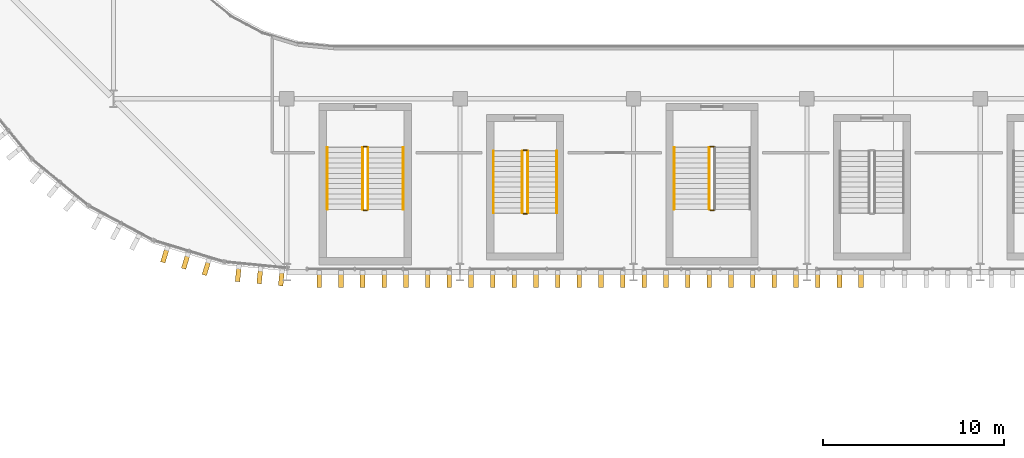
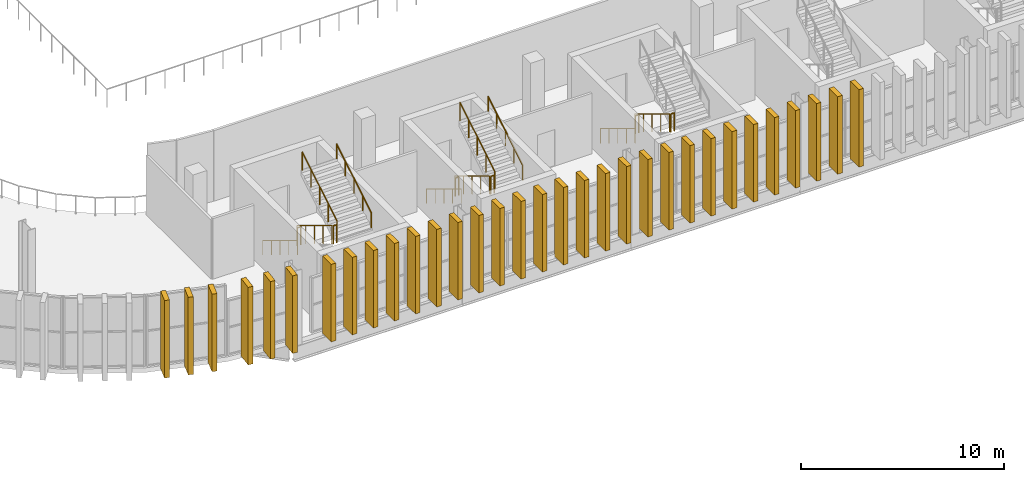
# One storey, part 63 of 75: 32 coverings, 16 railings.
"""IFC4 building model written with IfcOpenShell, lengths in metres."""

from ifc_helpers import new_model, si_unit, direction, frame, origin, origin_2d, place, context, subcontext, project, spatial, rectangle, circle, extrude, material, material_profile, profile_set, type_object, element, save


model = new_model("IFC4")

# Units and contexts
model_context = context("Model", 3, precision=1e-05, world=origin(), true_north=direction((0.0, 1.0)))
body_context = subcontext(model_context, "Body", "Model", "MODEL_VIEW")
ifc_project = project(units=[si_unit("LENGTHUNIT", "METRE"), si_unit("AREAUNIT", "SQUARE_METRE"), si_unit("VOLUMEUNIT", "CUBIC_METRE"), si_unit("PLANEANGLEUNIT", "RADIAN"), si_unit("MASSUNIT", "GRAM", prefix="KILO")], contexts=[model_context])

# Site, building, storey
site_placement = place(None, origin())
site = spatial("IfcSite", under=ifc_project, at=site_placement, CompositionType="ELEMENT")
building_placement = place(site_placement, origin())
building = spatial("IfcBuilding", under=site, at=building_placement, Name="Caelomonte Colonnade Arena", CompositionType="ELEMENT")
storey_placement = place(building_placement, frame((0.0, 0.0, 14.10009765625)))
storey = spatial("IfcBuildingStorey", under=building, at=storey_placement, Name="L03", CompositionType="ELEMENT", Elevation=14.10009765625)

# Coverings
ifc_material_1 = material(Name="Precast travertine cladding", Category="masonry")
ifc_material_profile = material_profile(ifc_material_1, rectangle(XDim=0.260009765625, YDim=0.85009765625, at=origin_2d()), Name="FIN260X850")
ifc_profile_set = profile_set([ifc_material_profile], Name="Precast travertine cladding")
covering_type = type_object("IfcCoveringType", Name="ENV-FN-SHAFT", PredefinedType="CLADDING", material=ifc_profile_set)
for number, where, z_axis, x_axis, name in (
    (1, (70.062744140625, 20.146484375, -0.16015625), (0.0, 0.0, 1.0), (-0.956942868907, 0.290276326364, 0.0), "V1 L03 classical travertine vertical fin 233"),
    (2, (71.211181640625, 19.798095703125, -0.16015625), (0.0, 0.0, 1.0), (-0.956942868907, 0.290276326364, 0.0), "V1 L03 classical travertine vertical fin 234"),
    (3, (72.359619140625, 19.44970703125, -0.16015625), (0.0, 0.0, 1.0), (-0.956942868907, 0.290276326364, 0.0), "V1 L03 classical travertine vertical fin 235"),
    (4, (74.1162109375, 19.100341796875, -0.16015625), (0.0, 0.0, 1.0), (-0.995184897743, 0.098015403404, 0.0), "V1 L03 classical travertine vertical fin 236"),
    (5, (75.310302734375, 18.98291015625, -0.16015625), (0.0, 0.0, 1.0), (-0.995184897743, 0.098015403404, 0.0), "V1 L03 classical travertine vertical fin 237"),
    (6, (76.50439453125, 18.865234375, -0.16015625), (0.0, 0.0, 1.0), (-0.995184897743, 0.098015403404, 0.0), "V1 L03 classical travertine vertical fin 238"),
    (7, (78.60009765625, 18.779052734375, -0.16015625), (0.0, 0.0, 1.0), (-1.0, 0.0, 0.0), "V1 L03 classical travertine vertical fin 239"),
    (8, (79.800048828125, 18.779052734375, -0.16015625), (0.0, 0.0, 1.0), (-1.0, 0.0, 0.0), "V1 L03 classical travertine vertical fin 240"),
    (9, (81.0, 18.779052734375, -0.16015625), (0.0, 0.0, 1.0), (-1.0, 0.0, 0.0), "V1 L03 classical travertine vertical fin 241"),
    (10, (82.199951171875, 18.779052734375, -0.16015625), (0.0, 0.0, 1.0), (-1.0, 0.0, 0.0), "V1 L03 classical travertine vertical fin 242"),
    (11, (83.39990234375, 18.779052734375, -0.16015625), (0.0, 0.0, 1.0), (-1.0, 0.0, 0.0), "V1 L03 classical travertine vertical fin 243"),
    (12, (84.60009765625, 18.779052734375, -0.16015625), (0.0, 0.0, 1.0), (-1.0, 0.0, 0.0), "V1 L03 classical travertine vertical fin 244"),
    (13, (85.800048828125, 18.779052734375, -0.16015625), (0.0, 0.0, 1.0), (-1.0, 0.0, 0.0), "V1 L03 classical travertine vertical fin 245"),
    (14, (87.0, 18.779052734375, -0.16015625), (0.0, 0.0, 1.0), (-1.0, 0.0, 0.0), "V1 L03 classical travertine vertical fin 246"),
    (15, (88.199951171875, 18.779052734375, -0.16015625), (0.0, 0.0, 1.0), (-1.0, 0.0, 0.0), "V1 L03 classical travertine vertical fin 247"),
    (16, (89.39990234375, 18.779052734375, -0.16015625), (0.0, 0.0, 1.0), (-1.0, 0.0, 0.0), "V1 L03 classical travertine vertical fin 248"),
    (17, (90.60009765625, 18.779052734375, -0.16015625), (0.0, 0.0, 1.0), (-1.0, 0.0, 0.0), "V1 L03 classical travertine vertical fin 249"),
    (18, (91.800048828125, 18.779052734375, -0.16015625), (0.0, 0.0, 1.0), (-1.0, 0.0, 0.0), "V1 L03 classical travertine vertical fin 250"),
    (19, (93.0, 18.779052734375, -0.16015625), (0.0, 0.0, 1.0), (-1.0, 0.0, 0.0), "V1 L03 classical travertine vertical fin 251"),
    (20, (94.199951171875, 18.779052734375, -0.16015625), (0.0, 0.0, 1.0), (-1.0, 0.0, 0.0), "V1 L03 classical travertine vertical fin 252"),
    (21, (95.39990234375, 18.779052734375, -0.16015625), (0.0, 0.0, 1.0), (-1.0, 0.0, 0.0), "V1 L03 classical travertine vertical fin 253"),
    (22, (96.60009765625, 18.779052734375, -0.16015625), (0.0, 0.0, 1.0), (-1.0, 0.0, 0.0), "V1 L03 classical travertine vertical fin 254"),
    (23, (97.800048828125, 18.779052734375, -0.16015625), (0.0, 0.0, 1.0), (-1.0, 0.0, 0.0), "V1 L03 classical travertine vertical fin 255"),
    (24, (99.0, 18.779052734375, -0.16015625), (0.0, 0.0, 1.0), (-1.0, 0.0, 0.0), "V1 L03 classical travertine vertical fin 256"),
    (25, (100.199951171875, 18.779052734375, -0.16015625), (0.0, 0.0, 1.0), (-1.0, 0.0, 0.0), "V1 L03 classical travertine vertical fin 257"),
    (26, (101.39990234375, 18.779052734375, -0.16015625), (0.0, 0.0, 1.0), (-1.0, 0.0, 0.0), "V1 L03 classical travertine vertical fin 258"),
    (27, (102.60009765625, 18.779052734375, -0.16015625), (0.0, 0.0, 1.0), (-1.0, 0.0, 0.0), "V1 L03 classical travertine vertical fin 259"),
    (28, (103.800048828125, 18.779052734375, -0.16015625), (0.0, 0.0, 1.0), (-1.0, 0.0, 0.0), "V1 L03 classical travertine vertical fin 260"),
    (29, (105.0, 18.779052734375, -0.16015625), (0.0, 0.0, 1.0), (-1.0, 0.0, 0.0), "V1 L03 classical travertine vertical fin 261"),
    (30, (106.199951171875, 18.779052734375, -0.16015625), (0.0, 0.0, 1.0), (-1.0, 0.0, 0.0), "V1 L03 classical travertine vertical fin 262"),
    (31, (107.39990234375, 18.779052734375, -0.16015625), (0.0, 0.0, 1.0), (-1.0, 0.0, 0.0), "V1 L03 classical travertine vertical fin 263"),
    (32, (108.60009765625, 18.779052734375, -0.16015625), (0.0, 0.0, 1.0), (-1.0, 0.0, 0.0), "V1 L03 classical travertine vertical fin 264"),
):
    element("IfcCovering", number, at=place(storey_placement, frame(where, z_axis=z_axis, x_axis=x_axis)), inside=storey, type_object=covering_type, Name=name, PredefinedType="CLADDING", context=body_context, shape_type="SweptSolid", body=[
        extrude(rectangle(XDim=0.260009765625, YDim=0.85009765625, at=origin_2d()), origin(), (0.0, 0.0, 1.0), 4.66015625),
    ])

# Railings
ifc_material_2 = material(Name="Painted galvanized steel stair guard", Category="steel")
railing_type_1 = type_object("IfcRailingType", Name="INT-RL-GRD", PredefinedType="GUARDRAIL", material=ifc_material_2)
railing_1_placement = place(storey_placement, frame((81.0, 26.10009765625, 0.173095703125)))
element("IfcRailing", 33, at=railing_1_placement, inside=storey, type_object=railing_type_1, Name="L03 ST-11 stair guard 1", PredefinedType="GUARDRAIL", context=body_context, shape_type="SweptSolid", body=[
    extrude(circle(Radius=0.02392578125, at=origin_2d()), frame((0.0, 0.0, 1.076171875), z_axis=(0.0, -0.854745945586, 0.519046595696), x_axis=(1.0, 0.0, 0.0)), (0.0, 0.0, 1.0), 4.00146484375),
    extrude(circle(Radius=0.02099609375, at=origin_2d()), origin(), (0.0, 0.0, 1.0), 1.048095703125),
    extrude(circle(Radius=0.02099609375, at=origin_2d()), frame((0.0, -0.85498046875, 0.519287109375)), (0.0, 0.0, 1.0), 1.048095703125),
    extrude(circle(Radius=0.02099609375, at=origin_2d()), frame((0.0, -1.7099609375, 1.03857421875)), (0.0, 0.0, 1.0), 1.048095703125),
    extrude(circle(Radius=0.02099609375, at=origin_2d()), frame((0.0, -2.565185546875, 1.5576171875)), (0.0, 0.0, 1.0), 1.048095703125),
    extrude(circle(Radius=0.02099609375, at=origin_2d()), frame((0.0, -3.420166015625, 2.076904296875)), (0.0, 0.0, 1.0), 1.048095703125),
])
railing_2_placement = place(storey_placement, frame((81.050048828125, 22.6298828125, 2.25)))
element("IfcRailing", 34, at=railing_2_placement, inside=storey, type_object=railing_type_1, Name="L03 ST-11 stair guard 2", PredefinedType="GUARDRAIL", context=body_context, shape_type="SweptSolid", body=[
    extrude(circle(Radius=0.02392578125, at=origin_2d()), frame((0.0, 0.0, 1.076171875), z_axis=(1.0, 0.0, 0.0), x_axis=(0.0, 1.0, 0.0)), (0.0, 0.0, 1.0), 0.199951171875),
    extrude(circle(Radius=0.02099609375, at=origin_2d()), origin(), (0.0, 0.0, 1.0), 1.048095703125),
    extrude(circle(Radius=0.02099609375, at=origin_2d()), frame((0.199951171875, 0.0, 0.0)), (0.0, 0.0, 1.0), 1.048095703125),
])
railing_3_placement = place(storey_placement, frame((81.300048828125, 22.679931640625, 2.423095703125)))
element("IfcRailing", 35, at=railing_3_placement, inside=storey, type_object=railing_type_1, Name="L03 ST-11 stair guard 3", PredefinedType="GUARDRAIL", context=body_context, shape_type="SweptSolid", body=[
    extrude(circle(Radius=0.02392578125, at=origin_2d()), frame((0.0, 0.0, 1.076171875), z_axis=(0.0, 0.854745945586, 0.519046595696), x_axis=(-1.0, 0.0, 0.0)), (0.0, 0.0, 1.0), 4.00146484375),
    extrude(circle(Radius=0.02099609375, at=origin_2d()), origin(), (0.0, 0.0, 1.0), 1.048095703125),
    extrude(circle(Radius=0.02099609375, at=origin_2d()), frame((0.0, 0.85498046875, 0.519287109375)), (0.0, 0.0, 1.0), 1.048095703125),
    extrude(circle(Radius=0.02099609375, at=origin_2d()), frame((0.0, 1.7099609375, 1.03857421875)), (0.0, 0.0, 1.0), 1.048095703125),
    extrude(circle(Radius=0.02099609375, at=origin_2d()), frame((0.0, 2.565185546875, 1.5576171875)), (0.0, 0.0, 1.0), 1.048095703125),
    extrude(circle(Radius=0.02099609375, at=origin_2d()), frame((0.0, 3.420166015625, 2.076904296875)), (0.0, 0.0, 1.0), 1.048095703125),
])
railing_4_placement = place(storey_placement, frame((81.050048828125, 26.14990234375, 0.0)))
element("IfcRailing", 36, at=railing_4_placement, inside=storey, type_object=railing_type_1, Name="L03 ST-11 stair guard 4", PredefinedType="GUARDRAIL", context=body_context, shape_type="SweptSolid", body=[
    extrude(circle(Radius=0.02392578125, at=origin_2d()), frame((0.0, 0.0, 1.076171875), z_axis=(1.0, 0.0, 0.0), x_axis=(0.0, 1.0, 0.0)), (0.0, 0.0, 1.0), 0.199951171875),
    extrude(circle(Radius=0.02099609375, at=origin_2d()), origin(), (0.0, 0.0, 1.0), 1.048095703125),
    extrude(circle(Radius=0.02099609375, at=origin_2d()), frame((0.199951171875, 0.0, 0.0)), (0.0, 0.0, 1.0), 1.048095703125),
])
railing_5_placement = place(storey_placement, frame((100.199951171875, 26.10009765625, 0.173095703125)))
element("IfcRailing", 37, at=railing_5_placement, inside=storey, type_object=railing_type_1, Name="L03 ST-12 stair guard 1", PredefinedType="GUARDRAIL", context=body_context, shape_type="SweptSolid", body=[
    extrude(circle(Radius=0.02392578125, at=origin_2d()), frame((0.0, 0.0, 1.076171875), z_axis=(0.0, -0.854745945586, 0.519046595696), x_axis=(1.0, 0.0, 0.0)), (0.0, 0.0, 1.0), 4.00146484375),
    extrude(circle(Radius=0.02099609375, at=origin_2d()), origin(), (0.0, 0.0, 1.0), 1.048095703125),
    extrude(circle(Radius=0.02099609375, at=origin_2d()), frame((0.0, -0.85498046875, 0.519287109375)), (0.0, 0.0, 1.0), 1.048095703125),
    extrude(circle(Radius=0.02099609375, at=origin_2d()), frame((0.0, -1.7099609375, 1.03857421875)), (0.0, 0.0, 1.0), 1.048095703125),
    extrude(circle(Radius=0.02099609375, at=origin_2d()), frame((0.0, -2.565185546875, 1.5576171875)), (0.0, 0.0, 1.0), 1.048095703125),
    extrude(circle(Radius=0.02099609375, at=origin_2d()), frame((0.0, -3.420166015625, 2.076904296875)), (0.0, 0.0, 1.0), 1.048095703125),
])
for number, where, name in (
    (38, (100.25, 22.6298828125, 2.25), "L03 ST-12 stair guard 2"),
    (39, (100.25, 26.14990234375, 0.0), "L03 ST-12 stair guard 4"),
):
    element("IfcRailing", number, at=place(storey_placement, frame(where)), inside=storey, type_object=railing_type_1, Name=name, PredefinedType="GUARDRAIL", context=body_context, shape_type="SweptSolid", body=[
        extrude(circle(Radius=0.02392578125, at=origin_2d()), frame((0.0, 0.0, 1.076171875), z_axis=(1.0, 0.0, 0.0), x_axis=(0.0, 1.0, 0.0)), (0.0, 0.0, 1.0), 0.199951171875),
        extrude(circle(Radius=0.02099609375, at=origin_2d()), origin(), (0.0, 0.0, 1.0), 1.048095703125),
        extrude(circle(Radius=0.02099609375, at=origin_2d()), frame((0.199951171875, 0.0, 0.0)), (0.0, 0.0, 1.0), 1.048095703125),
    ])
railing_6_placement = place(storey_placement, frame((89.85009765625, 25.89990234375, 0.173095703125)))
element("IfcRailing", 40, at=railing_6_placement, inside=storey, type_object=railing_type_1, Name="L03 ST-V09 stair guard 1", PredefinedType="GUARDRAIL", context=body_context, shape_type="SweptSolid", body=[
    extrude(circle(Radius=0.02392578125, at=origin_2d()), frame((0.0, 0.0, 1.076171875), z_axis=(0.0, -0.854729506542, 0.519073665916), x_axis=(1.0, 0.0, 0.0)), (0.0, 0.0, 1.0), 4.001220703125),
    extrude(circle(Radius=0.02099609375, at=origin_2d()), origin(), (0.0, 0.0, 1.0), 1.048095703125),
    extrude(circle(Radius=0.02099609375, at=origin_2d()), frame((0.0, -0.85498046875, 0.519287109375)), (0.0, 0.0, 1.0), 1.048095703125),
    extrude(circle(Radius=0.02099609375, at=origin_2d()), frame((0.0, -1.7099609375, 1.03857421875)), (0.0, 0.0, 1.0), 1.048095703125),
    extrude(circle(Radius=0.02099609375, at=origin_2d()), frame((0.0, -2.56494140625, 1.5576171875)), (0.0, 0.0, 1.0), 1.048095703125),
    extrude(circle(Radius=0.02099609375, at=origin_2d()), frame((0.0, -3.419921875, 2.076904296875)), (0.0, 0.0, 1.0), 1.048095703125),
])
railing_7_placement = place(storey_placement, frame((89.89990234375, 22.429931640625, 2.25)))
element("IfcRailing", 41, at=railing_7_placement, inside=storey, type_object=railing_type_1, Name="L03 ST-V09 stair guard 2", PredefinedType="GUARDRAIL", context=body_context, shape_type="SweptSolid", body=[
    extrude(circle(Radius=0.02392578125, at=origin_2d()), frame((0.0, 0.0, 1.076171875), z_axis=(1.0, 0.0, 0.0), x_axis=(0.0, 1.0, 0.0)), (0.0, 0.0, 1.0), 0.2001953125),
    extrude(circle(Radius=0.02099609375, at=origin_2d()), origin(), (0.0, 0.0, 1.0), 1.048095703125),
    extrude(circle(Radius=0.02099609375, at=origin_2d()), frame((0.2001953125, 0.0, 0.0)), (0.0, 0.0, 1.0), 1.048095703125),
])
railing_8_placement = place(storey_placement, frame((90.14990234375, 22.47998046875, 2.423095703125)))
element("IfcRailing", 42, at=railing_8_placement, inside=storey, type_object=railing_type_1, Name="L03 ST-V09 stair guard 3", PredefinedType="GUARDRAIL", context=body_context, shape_type="SweptSolid", body=[
    extrude(circle(Radius=0.02392578125, at=origin_2d()), frame((0.0, 0.0, 1.076171875), z_axis=(0.0, 0.854729506542, 0.519073665916), x_axis=(-1.0, 0.0, 0.0)), (0.0, 0.0, 1.0), 4.001220703125),
    extrude(circle(Radius=0.02099609375, at=origin_2d()), origin(), (0.0, 0.0, 1.0), 1.048095703125),
    extrude(circle(Radius=0.02099609375, at=origin_2d()), frame((0.0, 0.85498046875, 0.519287109375)), (0.0, 0.0, 1.0), 1.048095703125),
    extrude(circle(Radius=0.02099609375, at=origin_2d()), frame((0.0, 1.7099609375, 1.03857421875)), (0.0, 0.0, 1.0), 1.048095703125),
    extrude(circle(Radius=0.02099609375, at=origin_2d()), frame((0.0, 2.56494140625, 1.5576171875)), (0.0, 0.0, 1.0), 1.048095703125),
    extrude(circle(Radius=0.02099609375, at=origin_2d()), frame((0.0, 3.419921875, 2.076904296875)), (0.0, 0.0, 1.0), 1.048095703125),
])
railing_9_placement = place(storey_placement, frame((89.89990234375, 25.949951171875, 0.0)))
element("IfcRailing", 43, at=railing_9_placement, inside=storey, type_object=railing_type_1, Name="L03 ST-V09 stair guard 4", PredefinedType="GUARDRAIL", context=body_context, shape_type="SweptSolid", body=[
    extrude(circle(Radius=0.02392578125, at=origin_2d()), frame((0.0, 0.0, 1.076171875), z_axis=(1.0, 0.0, 0.0), x_axis=(0.0, 1.0, 0.0)), (0.0, 0.0, 1.0), 0.2001953125),
    extrude(circle(Radius=0.02099609375, at=origin_2d()), origin(), (0.0, 0.0, 1.0), 1.048095703125),
    extrude(circle(Radius=0.02099609375, at=origin_2d()), frame((0.2001953125, 0.0, 0.0)), (0.0, 0.0, 1.0), 1.048095703125),
])
ifc_material_3 = material(Name="Brushed stainless steel stair handrail", Category="steel")
railing_type_2 = type_object("IfcRailingType", Name="INT-RL-HR", PredefinedType="HANDRAIL", material=ifc_material_3)
railing_10_placement = place(storey_placement, frame((79.050048828125, 26.10009765625, 0.173095703125)))
element("IfcRailing", 44, at=railing_10_placement, inside=storey, type_object=railing_type_2, Name="L03 ST-11 stair handrail 1", PredefinedType="HANDRAIL", context=body_context, shape_type="SweptSolid", body=[
    extrude(circle(Radius=0.02392578125, at=origin_2d()), frame((0.0, 0.0, 0.8759765625), z_axis=(0.0, -0.854745945586, 0.519046595696), x_axis=(1.0, 0.0, 0.0)), (0.0, 0.0, 1.0), 4.00146484375),
    extrude(circle(Radius=0.02099609375, at=origin_2d()), origin(), (0.0, 0.0, 1.0), 0.847900390625),
    extrude(circle(Radius=0.02099609375, at=origin_2d()), frame((0.0, -0.85498046875, 0.519287109375)), (0.0, 0.0, 1.0), 0.847900390625),
    extrude(circle(Radius=0.02099609375, at=origin_2d()), frame((0.0, -1.7099609375, 1.03857421875)), (0.0, 0.0, 1.0), 0.847900390625),
    extrude(circle(Radius=0.02099609375, at=origin_2d()), frame((0.0, -2.565185546875, 1.5576171875)), (0.0, 0.0, 1.0), 0.847900390625),
    extrude(circle(Radius=0.02099609375, at=origin_2d()), frame((0.0, -3.420166015625, 2.076904296875)), (0.0, 0.0, 1.0), 0.847900390625),
])
railing_11_placement = place(storey_placement, frame((83.25, 22.679931640625, 2.423095703125)))
element("IfcRailing", 45, at=railing_11_placement, inside=storey, type_object=railing_type_2, Name="L03 ST-11 stair handrail 2", PredefinedType="HANDRAIL", context=body_context, shape_type="SweptSolid", body=[
    extrude(circle(Radius=0.02392578125, at=origin_2d()), frame((0.0, 0.0, 0.8759765625), z_axis=(0.0, 0.854745945586, 0.519046595696), x_axis=(-1.0, 0.0, 0.0)), (0.0, 0.0, 1.0), 4.00146484375),
    extrude(circle(Radius=0.02099609375, at=origin_2d()), origin(), (0.0, 0.0, 1.0), 0.847900390625),
    extrude(circle(Radius=0.02099609375, at=origin_2d()), frame((0.0, 0.85498046875, 0.519287109375)), (0.0, 0.0, 1.0), 0.847900390625),
    extrude(circle(Radius=0.02099609375, at=origin_2d()), frame((0.0, 1.7099609375, 1.03857421875)), (0.0, 0.0, 1.0), 0.847900390625),
    extrude(circle(Radius=0.02099609375, at=origin_2d()), frame((0.0, 2.565185546875, 1.5576171875)), (0.0, 0.0, 1.0), 0.847900390625),
    extrude(circle(Radius=0.02099609375, at=origin_2d()), frame((0.0, 3.420166015625, 2.076904296875)), (0.0, 0.0, 1.0), 0.847900390625),
])
railing_12_placement = place(storey_placement, frame((98.25, 26.10009765625, 0.173095703125)))
element("IfcRailing", 46, at=railing_12_placement, inside=storey, type_object=railing_type_2, Name="L03 ST-12 stair handrail 1", PredefinedType="HANDRAIL", context=body_context, shape_type="SweptSolid", body=[
    extrude(circle(Radius=0.02392578125, at=origin_2d()), frame((0.0, 0.0, 0.8759765625), z_axis=(0.0, -0.854745945586, 0.519046595696), x_axis=(1.0, 0.0, 0.0)), (0.0, 0.0, 1.0), 4.00146484375),
    extrude(circle(Radius=0.02099609375, at=origin_2d()), origin(), (0.0, 0.0, 1.0), 0.847900390625),
    extrude(circle(Radius=0.02099609375, at=origin_2d()), frame((0.0, -0.85498046875, 0.519287109375)), (0.0, 0.0, 1.0), 0.847900390625),
    extrude(circle(Radius=0.02099609375, at=origin_2d()), frame((0.0, -1.7099609375, 1.03857421875)), (0.0, 0.0, 1.0), 0.847900390625),
    extrude(circle(Radius=0.02099609375, at=origin_2d()), frame((0.0, -2.565185546875, 1.5576171875)), (0.0, 0.0, 1.0), 0.847900390625),
    extrude(circle(Radius=0.02099609375, at=origin_2d()), frame((0.0, -3.420166015625, 2.076904296875)), (0.0, 0.0, 1.0), 0.847900390625),
])
railing_13_placement = place(storey_placement, frame((88.25, 25.89990234375, 0.173095703125)))
element("IfcRailing", 47, at=railing_13_placement, inside=storey, type_object=railing_type_2, Name="L03 ST-V09 stair handrail 1", PredefinedType="HANDRAIL", context=body_context, shape_type="SweptSolid", body=[
    extrude(circle(Radius=0.02392578125, at=origin_2d()), frame((0.0, 0.0, 0.8759765625), z_axis=(0.0, -0.854729506542, 0.519073665916), x_axis=(1.0, 0.0, 0.0)), (0.0, 0.0, 1.0), 4.001220703125),
    extrude(circle(Radius=0.02099609375, at=origin_2d()), origin(), (0.0, 0.0, 1.0), 0.847900390625),
    extrude(circle(Radius=0.02099609375, at=origin_2d()), frame((0.0, -0.85498046875, 0.519287109375)), (0.0, 0.0, 1.0), 0.847900390625),
    extrude(circle(Radius=0.02099609375, at=origin_2d()), frame((0.0, -1.7099609375, 1.03857421875)), (0.0, 0.0, 1.0), 0.847900390625),
    extrude(circle(Radius=0.02099609375, at=origin_2d()), frame((0.0, -2.56494140625, 1.5576171875)), (0.0, 0.0, 1.0), 0.847900390625),
    extrude(circle(Radius=0.02099609375, at=origin_2d()), frame((0.0, -3.419921875, 2.076904296875)), (0.0, 0.0, 1.0), 0.847900390625),
])
railing_14_placement = place(storey_placement, frame((91.75, 22.47998046875, 2.423095703125)))
element("IfcRailing", 48, at=railing_14_placement, inside=storey, type_object=railing_type_2, Name="L03 ST-V09 stair handrail 2", PredefinedType="HANDRAIL", context=body_context, shape_type="SweptSolid", body=[
    extrude(circle(Radius=0.02392578125, at=origin_2d()), frame((0.0, 0.0, 0.8759765625), z_axis=(0.0, 0.854729506542, 0.519073665916), x_axis=(-1.0, 0.0, 0.0)), (0.0, 0.0, 1.0), 4.001220703125),
    extrude(circle(Radius=0.02099609375, at=origin_2d()), origin(), (0.0, 0.0, 1.0), 0.847900390625),
    extrude(circle(Radius=0.02099609375, at=origin_2d()), frame((0.0, 0.85498046875, 0.519287109375)), (0.0, 0.0, 1.0), 0.847900390625),
    extrude(circle(Radius=0.02099609375, at=origin_2d()), frame((0.0, 1.7099609375, 1.03857421875)), (0.0, 0.0, 1.0), 0.847900390625),
    extrude(circle(Radius=0.02099609375, at=origin_2d()), frame((0.0, 2.56494140625, 1.5576171875)), (0.0, 0.0, 1.0), 0.847900390625),
    extrude(circle(Radius=0.02099609375, at=origin_2d()), frame((0.0, 3.419921875, 2.076904296875)), (0.0, 0.0, 1.0), 0.847900390625),
])

save(model, "model.ifc")
